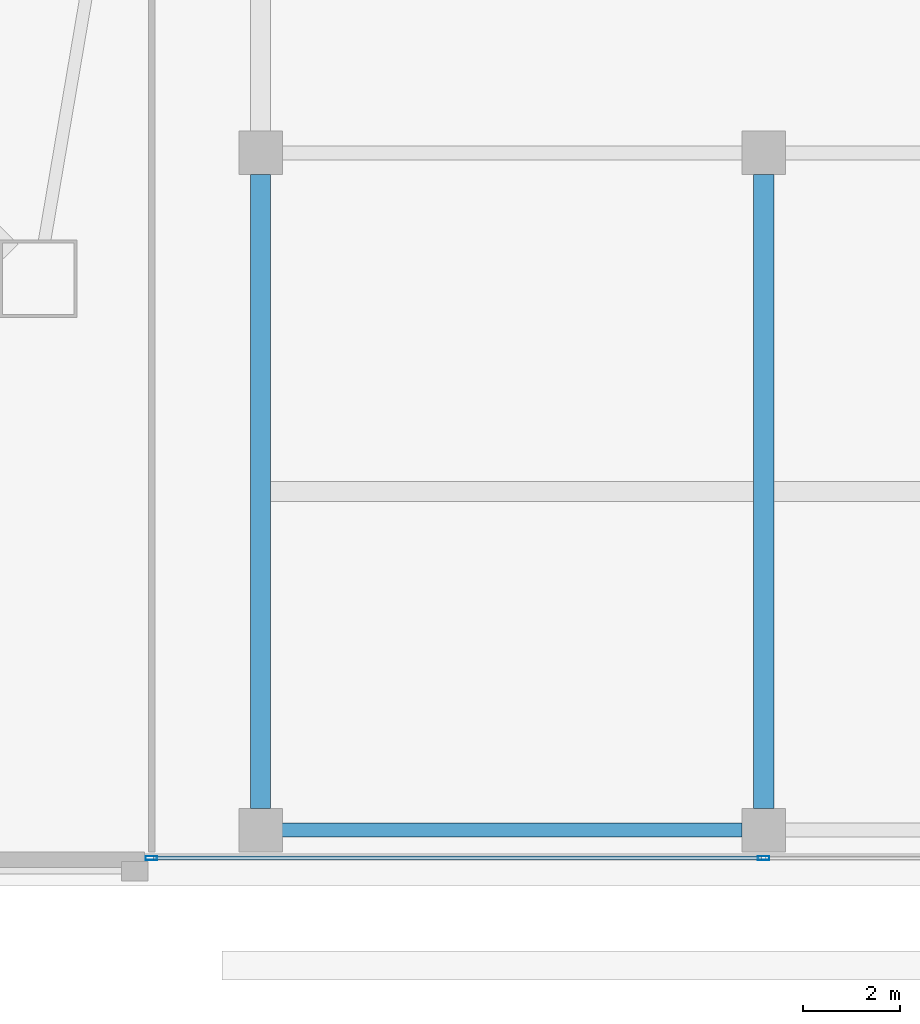
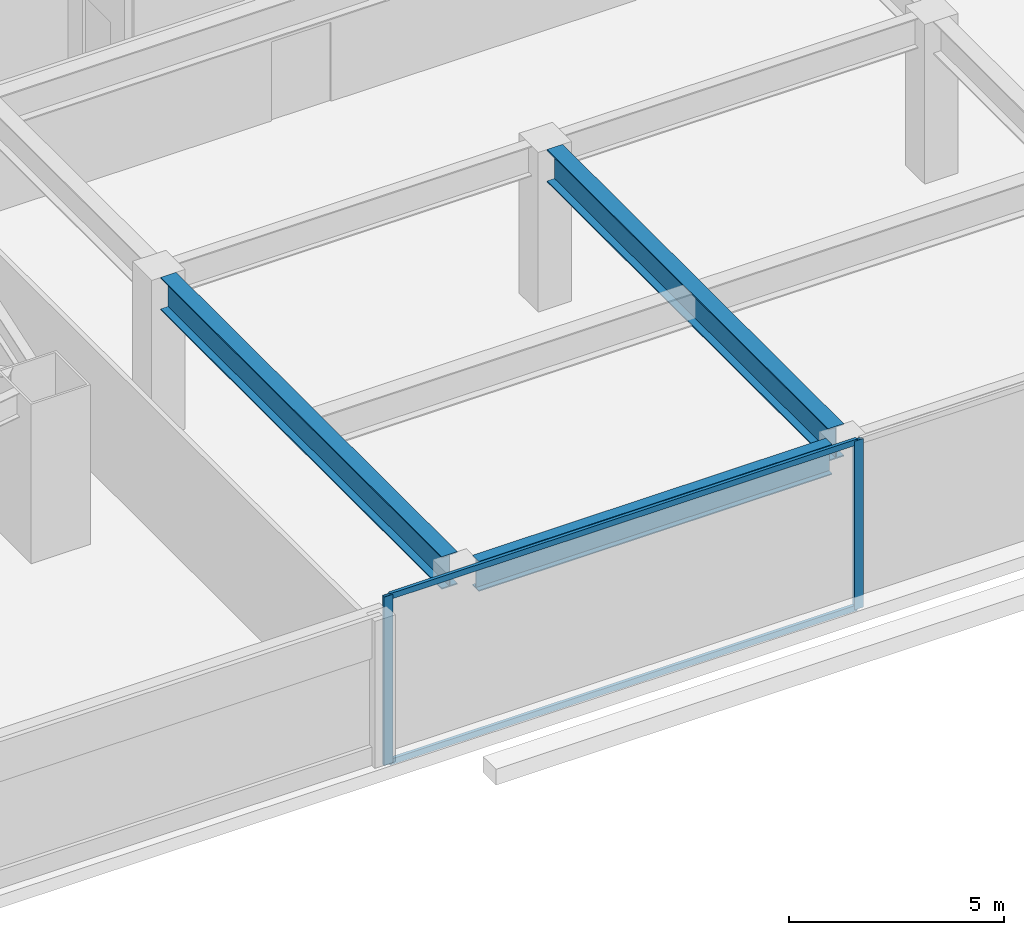
# One storey, part 14 of 44: 4 members, 3 beams, 1 element without a shape of its own.
"""IFC4 building model written with IfcOpenShell, lengths in metres."""

from ifc_helpers import new_model, si_unit, direction, frame, origin, origin_2d, place, context, subcontext, project, spatial, hollow_rectangle, i_section, extrude, material, material_profile, profile_set, type_object, element, aggregate, save


model = new_model("IFC4")

# Units and contexts
model_context = context("Model", 3, precision=1e-05, world=origin(), true_north=direction((0.0, 1.0)))
body_context = subcontext(model_context, "Body", "Model", "MODEL_VIEW")
ifc_project = project(units=[si_unit("LENGTHUNIT", "METRE"), si_unit("AREAUNIT", "SQUARE_METRE"), si_unit("VOLUMEUNIT", "CUBIC_METRE"), si_unit("PLANEANGLEUNIT", "RADIAN"), si_unit("MASSUNIT", "GRAM", prefix="KILO")], contexts=[model_context])

# Site, building, storey
site_placement = place(None, origin())
site = spatial("IfcSite", under=ifc_project, at=site_placement, CompositionType="ELEMENT")
building_placement = place(site_placement, origin())
building = spatial("IfcBuilding", under=site, at=building_placement, Name="Tashvorn Skyway Center", CompositionType="ELEMENT")
storey_placement = place(building_placement, frame((0.0, 0.0, 5.39990234375)))
storey = spatial("IfcBuildingStorey", under=building, at=storey_placement, Name="L01", CompositionType="ELEMENT", Elevation=5.39990234375)

# Beams
ifc_material_1 = material(Name="Steel ASTM A992 Grade 50", Category="steel")
ifc_material_profile_1 = material_profile(ifc_material_1, i_section(OverallWidth=0.2919921875, OverallDepth=0.85888671875, WebThickness=0.01708984375, FlangeThickness=0.031005859375, at=origin_2d()), Name="W33X169")
ifc_profile_set_1 = profile_set([ifc_material_profile_1], Name="Steel ASTM A992 Grade 50")
beam_type_1 = type_object("IfcBeamType", Name="BM-BEAM-W33X169", PredefinedType="BEAM", material=ifc_profile_set_1)
beam_placement = place(storey_placement, frame((66.844970703125, 0.800048828125, 4.110595703125), z_axis=(1.0, 0.0, 0.0), x_axis=(0.0, 1.0, 0.0)))
element("IfcBeam", 1, at=beam_placement, inside=storey, type_object=beam_type_1, Name="L01 Central Podium Girder A 01", PredefinedType="BEAM", context=body_context, shape_type="SweptSolid", body=[
    extrude(i_section(OverallWidth=0.2919921875, OverallDepth=0.85888671875, WebThickness=0.01708984375, FlangeThickness=0.031005859375, at=origin_2d()), origin(), (0.0, 0.0, 1.0), 9.510009765625),
])
ifc_material_2 = material(Name="Steel ASTM A913 Grade 65", Category="steel")
ifc_material_profile_2 = material_profile(ifc_material_2, i_section(OverallWidth=0.4189453125, OverallDepth=0.927001953125, WebThickness=0.019287109375, FlangeThickness=0.031982421875, at=origin_2d()), Name="W36X231")
ifc_profile_set_2 = profile_set([ifc_material_profile_2], Name="Steel ASTM A913 Grade 65")
beam_type_2 = type_object("IfcBeamType", Name="BM-BEAM-W36X231", PredefinedType="BEAM", material=ifc_profile_set_2)
for number, where, z_axis, x_axis, name in (
    (2, (66.39990234375, 1.2451171875, 4.07666015625), (0.0, 1.0, 0.0), (-1.0, 0.0, 0.0), "L01 North-South Podium Girder 03-S"),
    (3, (76.800048828125, 1.2451171875, 4.07666015625), (0.0, 1.0, 0.0), (-1.0, 0.0, 0.0), "L01 North-South Podium Girder 04-S"),
):
    element("IfcBeam", number, at=place(storey_placement, frame(where, z_axis=z_axis, x_axis=x_axis)), inside=storey, type_object=beam_type_2, Name=name, PredefinedType="BEAM", context=body_context, shape_type="SweptSolid", body=[
        extrude(i_section(OverallWidth=0.4189453125, OverallDepth=0.927001953125, WebThickness=0.019287109375, FlangeThickness=0.031982421875, at=origin_2d()), origin(), (0.0, 0.0, 1.0), 13.10986328125),
    ])

# Curtain wall, members
ifc_material_3 = material(Name="Thermally broken bronze-anodized aluminium 6063-T6", Category="aluminium")
curtain_wall_type = type_object("IfcCurtainWallType", Name="CW-CW-Z1", PredefinedType="NOTDEFINED", material=ifc_material_3)
curtain_wall_placement = place(storey_placement, origin())
curtain_wall = element("IfcCurtainWall", 4, at=curtain_wall_placement, inside=storey, type_object=curtain_wall_type, Name="L01 South Station Arcade Curtain Wall 2", PredefinedType="NOTDEFINED")
ifc_material_profile_3 = material_profile(ifc_material_3, hollow_rectangle(XDim=0.0849609375, YDim=0.239990234375, WallThickness=0.0048828125, at=origin_2d()), Name="ALU-MULL-85x240")
ifc_profile_set_3 = profile_set([ifc_material_profile_3], Name="Thermally broken bronze-anodized aluminium 6063-T6")
member_type_1 = type_object("IfcMemberType", Name="CWM-CW-Z1", PredefinedType="MULLION", material=ifc_profile_set_3)
member_1_placement = place(storey_placement, frame((76.800048828125, 0.219970703125, 0.0), z_axis=(0.0, 0.0, 1.0), x_axis=(0.0, -1.0, 0.0)))
member_1 = element("IfcMember", 5, at=member_1_placement, type_object=member_type_1, Name="CW-Z1 mullion 2", PredefinedType="MULLION", context=body_context, shape_type="SweptSolid", body=[
    extrude(hollow_rectangle(XDim=0.0849609375, YDim=0.239990234375, WallThickness=0.0048828125, at=origin_2d()), origin(), (0.0, 0.0, 1.0), 4.800048828125),
])
member_2_placement = place(storey_placement, frame((64.142578125, 0.219970703125, 0.0), z_axis=(0.0, 0.0, 1.0), x_axis=(0.0, -1.0, 0.0)))
member_2 = element("IfcMember", 6, at=member_2_placement, type_object=member_type_1, Name="CW-Z1 mullion 3", PredefinedType="MULLION", context=body_context, shape_type="SweptSolid", body=[
    extrude(hollow_rectangle(XDim=0.0849609375, YDim=0.239990234375, WallThickness=0.0048828125, at=origin_2d()), origin(), (0.0, 0.0, 1.0), 4.800048828125),
])
ifc_material_profile_4 = material_profile(ifc_material_3, hollow_rectangle(XDim=0.0849609375, YDim=0.1650390625, WallThickness=0.0048828125, at=origin_2d()), Name="ALU-TRAN-85x165")
ifc_profile_set_4 = profile_set([ifc_material_profile_4], Name="Thermally broken bronze-anodized aluminium 6063-T6")
member_type_2 = type_object("IfcMemberType", Name="CWT-CW-Z1", PredefinedType="USERDEFINED", material=ifc_profile_set_4)
member_3_placement = place(storey_placement, frame((76.757568359375, 0.219970703125, 0.04248046875), z_axis=(-1.0, 0.0, 0.0), x_axis=(0.0, -1.0, 0.0)))
member_3 = element("IfcMember", 7, at=member_3_placement, type_object=member_type_2, Name="CW-Z1 transom 2.1", ObjectType="TRANSOM", PredefinedType="USERDEFINED", context=body_context, shape_type="SweptSolid", body=[
    extrude(hollow_rectangle(XDim=0.0849609375, YDim=0.1650390625, WallThickness=0.0048828125, at=origin_2d()), origin(), (0.0, 0.0, 1.0), 12.572509765625),
])
member_4_placement = place(storey_placement, frame((76.757568359375, 0.219970703125, 4.757568359375), z_axis=(-1.0, 0.0, 0.0), x_axis=(0.0, -1.0, 0.0)))
member_4 = element("IfcMember", 8, at=member_4_placement, type_object=member_type_2, Name="CW-Z1 transom 2.2", ObjectType="TRANSOM", PredefinedType="USERDEFINED", context=body_context, shape_type="SweptSolid", body=[
    extrude(hollow_rectangle(XDim=0.0849609375, YDim=0.1650390625, WallThickness=0.0048828125, at=origin_2d()), origin(), (0.0, 0.0, 1.0), 12.572509765625),
])
aggregate(curtain_wall, [member_1, member_2, member_3, member_4])

save(model, "model.ifc")
